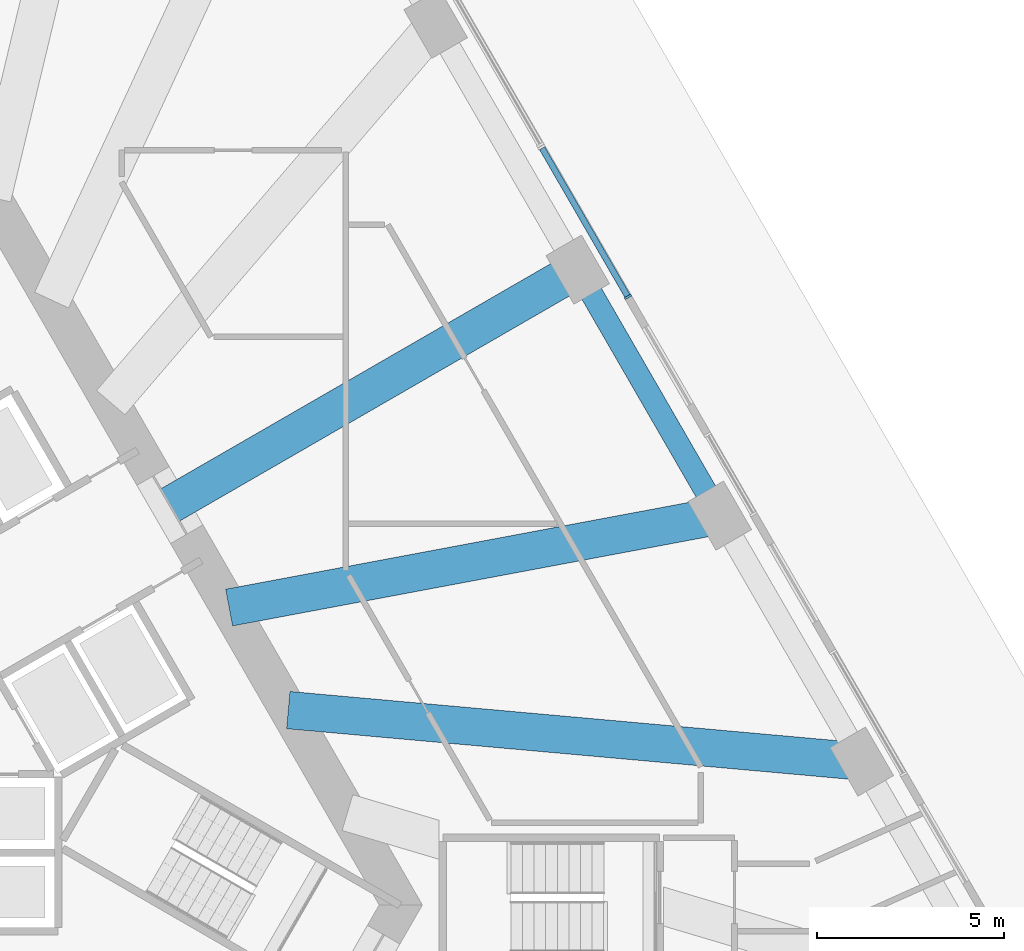
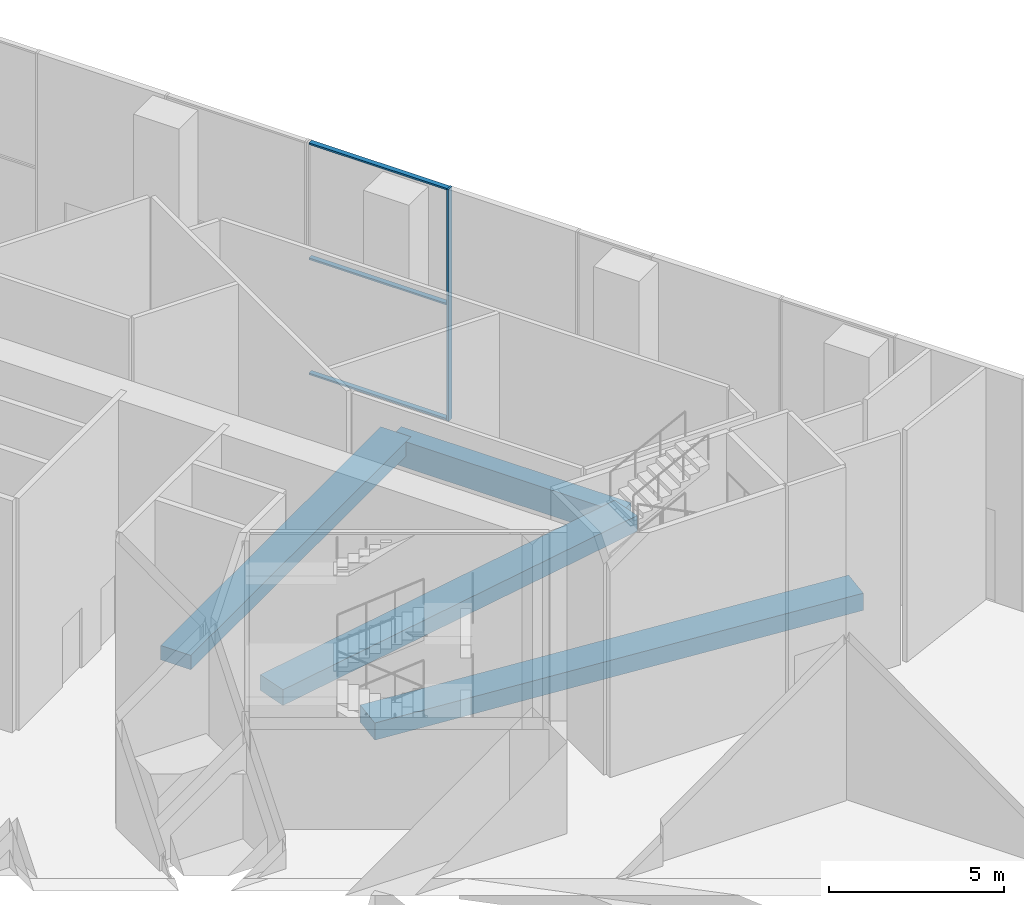
# One storey, part 12 of 41: 4 beams, 4 members, 1 element without a shape of its own.
"""IFC4 building model written with IfcOpenShell, lengths in metres."""

from ifc_helpers import new_model, si_unit, direction, frame, origin, origin_2d, place, context, subcontext, project, spatial, rectangle, extrude, material, layer, layer_set, material_profile, profile_set, type_object, element, aggregate, save


model = new_model("IFC4")

# Units and contexts
model_context = context("Model", 3, precision=1e-05, world=origin(), true_north=direction((0.0, 1.0)))
body_context = subcontext(model_context, "Body", "Model", "MODEL_VIEW")
ifc_project = project(units=[si_unit("LENGTHUNIT", "METRE"), si_unit("AREAUNIT", "SQUARE_METRE"), si_unit("VOLUMEUNIT", "CUBIC_METRE"), si_unit("PLANEANGLEUNIT", "RADIAN"), si_unit("MASSUNIT", "GRAM", prefix="KILO")], contexts=[model_context])

# Site, building, storey
site_placement = place(None, origin())
site = spatial("IfcSite", under=ifc_project, at=site_placement, CompositionType="ELEMENT")
building_placement = place(site_placement, origin())
building = spatial("IfcBuilding", under=site, at=building_placement, Name="Triada Interchange Tower", CompositionType="ELEMENT")
storey_placement = place(building_placement, origin())
storey = spatial("IfcBuildingStorey", under=building, at=storey_placement, Name="L00", CompositionType="ELEMENT", Elevation=0.0)

# Curtain wall, member
ifc_material_1 = material(Name="Aluminium framed glazing", Category="aluminium")
ifc_layer = layer(ifc_material_1, 0.199951171875)
ifc_layer_set = layer_set([ifc_layer], Name="Curtain wall Concourse glazed screen")
curtain_wall_type = type_object("IfcCurtainWallType", Name="Curtain wall Concourse glazed screen", PredefinedType="NOTDEFINED", material=ifc_layer_set)
curtain_wall_placement = place(storey_placement, origin())
curtain_wall = element("IfcCurtainWall", 1, at=curtain_wall_placement, inside=storey, type_object=curtain_wall_type, Name="Concourse glazed screen CW023 L00", PredefinedType="NOTDEFINED")
ifc_material_2 = material(Name="Aluminium", Category="aluminium")
ifc_material_profile_1 = material_profile(ifc_material_2, rectangle(XDim=0.199951171875, YDim=0.06005859375, at=origin_2d()), Name="Aluminium mullion")
ifc_profile_set_1 = profile_set([ifc_material_profile_1], Name="Aluminium")
member_type_1 = type_object("IfcMemberType", Name="Mullion Concourse glazed screen 200x60", PredefinedType="MULLION", material=ifc_profile_set_1)
member_1_placement = place(storey_placement, frame((20.051025390625, 10.071044921875, 0.0), z_axis=(0.0, 0.0, 1.0), x_axis=(-0.865961626677, -0.500110448923, 0.0)))
member_1 = element("IfcMember", 2, at=member_1_placement, type_object=member_type_1, Name="CW023 mullion 1", PredefinedType="MULLION", context=body_context, shape_type="SweptSolid", body=[
    extrude(rectangle(XDim=0.199951171875, YDim=0.06005859375, at=origin_2d()), origin(), (0.0, 0.0, 1.0), 8.10009765625),
])

# Beams
ifc_material_3 = material(Name="Concrete C50/60", Category="concrete")
ifc_material_profile_2 = material_profile(ifc_material_3, rectangle(XDim=1.0, YDim=0.5, at=origin_2d()), Name="RC 1000x500")
ifc_profile_set_2 = profile_set([ifc_material_profile_2], Name="Concrete C50/60")
beam_type_1 = type_object("IfcBeamType", Name="Radial band beam P RC 1000x500", PredefinedType="BEAM", material=ifc_profile_set_2)
beam_1_placement = place(storey_placement, frame((18.7060546875, 10.800048828125, -0.64990234375), z_axis=(-0.866027481415, -0.499996401421, 0.0), x_axis=(0.499996401421, -0.866027481415, 0.0)))
element("IfcBeam", 3, at=beam_1_placement, inside=storey, type_object=beam_type_1, Name="Radial band beam BP25 L00", PredefinedType="BEAM", context=body_context, shape_type="SweptSolid", body=[
    extrude(rectangle(XDim=1.0, YDim=0.5, at=origin_2d()), origin(), (0.0, 0.0, 1.0), 12.60009765625),
])
ifc_material_profile_3 = material_profile(ifc_material_3, rectangle(XDim=1.0, YDim=0.550048828125, at=origin_2d()), Name="RC 1000x550")
ifc_profile_set_3 = profile_set([ifc_material_profile_3], Name="Concrete C50/60")
beam_type_2 = type_object("IfcBeamType", Name="Radial band beam P RC 1000x550", PredefinedType="BEAM", material=ifc_profile_set_3)
beam_2_placement = place(storey_placement, frame((22.506103515625, 4.218994140625, -0.675048828125), z_axis=(-0.982880256044, -0.184245494596, 0.0), x_axis=(0.184245494596, -0.982880256044, 0.0)))
element("IfcBeam", 4, at=beam_2_placement, inside=storey, type_object=beam_type_2, Name="Radial band beam BP24 L00", PredefinedType="BEAM", context=body_context, shape_type="SweptSolid", body=[
    extrude(rectangle(XDim=1.0, YDim=0.550048828125, at=origin_2d()), origin(), (0.0, 0.0, 1.0), 13.35693359375),
])
ifc_material_profile_4 = material_profile(ifc_material_3, rectangle(XDim=1.0, YDim=0.60009765625, at=origin_2d()), Name="RC 1000x600")
ifc_profile_set_4 = profile_set([ifc_material_profile_4], Name="Concrete C50/60")
beam_type_3 = type_object("IfcBeamType", Name="Radial band beam P RC 1000x600", PredefinedType="BEAM", material=ifc_profile_set_4)
beam_3_placement = place(storey_placement, frame((26.305908203125, -2.363037109375, -0.699951171875), z_axis=(-0.995992484525, 0.089436965342, 0.0), x_axis=(-0.089436965342, -0.995992484525, 0.0)))
element("IfcBeam", 5, at=beam_3_placement, inside=storey, type_object=beam_type_3, Name="Radial band beam BP23 L00", PredefinedType="BEAM", context=body_context, shape_type="SweptSolid", body=[
    extrude(rectangle(XDim=1.0, YDim=0.60009765625, at=origin_2d()), origin(), (0.0, 0.0, 1.0), 15.40673828125),
])
ifc_material_profile_5 = material_profile(ifc_material_3, rectangle(XDim=0.60009765625, YDim=0.89990234375, at=origin_2d()), Name="RC 600x900")
ifc_profile_set_5 = profile_set([ifc_material_profile_5], Name="Concrete C50/60")
beam_type_4 = type_object("IfcBeamType", Name="Spandrel beam P RC 600x900", PredefinedType="BEAM", material=ifc_profile_set_5)
beam_4_placement = place(storey_placement, frame((22.506103515625, 4.218994140625, -0.85009765625), z_axis=(-0.500046891162, 0.865998329467, 0.0), x_axis=(-0.865998329467, -0.500046891162, 0.0)))
element("IfcBeam", 6, at=beam_4_placement, inside=storey, type_object=beam_type_4, Name="Spandrel beam EP24 L00", PredefinedType="BEAM", context=body_context, shape_type="SweptSolid", body=[
    extrude(rectangle(XDim=0.60009765625, YDim=0.89990234375, at=origin_2d()), origin(), (0.0, 0.0, 1.0), 7.599365234375),
])

# Member
ifc_material_profile_6 = material_profile(ifc_material_2, rectangle(XDim=0.159912109375, YDim=0.06005859375, at=origin_2d()), Name="Aluminium transom")
ifc_profile_set_6 = profile_set([ifc_material_profile_6], Name="Aluminium")
member_type_2 = type_object("IfcMemberType", Name="Transom Concourse glazed screen 160x60", PredefinedType="USERDEFINED", material=ifc_profile_set_6)
member_2_placement = place(storey_placement, frame((20.035888671875, 10.096923828125, 0.030029296875), z_axis=(-0.500102056226, 0.865966473576, 0.0), x_axis=(-0.865966473576, -0.500102056226, 0.0)))
member_2 = element("IfcMember", 7, at=member_2_placement, type_object=member_type_2, Name="CW023 transom 1.1", ObjectType="TRANSOM", PredefinedType="USERDEFINED", context=body_context, shape_type="SweptSolid", body=[
    extrude(rectangle(XDim=0.159912109375, YDim=0.06005859375, at=origin_2d()), origin(), (0.0, 0.0, 1.0), 4.56494140625),
])

member_3_placement = place(storey_placement, frame((20.035888671875, 10.096923828125, 4.050048828125), z_axis=(-0.500102056226, 0.865966473576, 0.0), x_axis=(-0.865966473576, -0.500102056226, 0.0)))
member_3 = element("IfcMember", 8, at=member_3_placement, type_object=member_type_2, Name="CW023 transom 1.2", ObjectType="TRANSOM", PredefinedType="USERDEFINED", context=body_context, shape_type="SweptSolid", body=[
    extrude(rectangle(XDim=0.159912109375, YDim=0.06005859375, at=origin_2d()), origin(), (0.0, 0.0, 1.0), 4.56494140625),
])

member_4_placement = place(storey_placement, frame((20.035888671875, 10.096923828125, 8.070068359375), z_axis=(-0.500102056226, 0.865966473576, 0.0), x_axis=(-0.865966473576, -0.500102056226, 0.0)))
member_4 = element("IfcMember", 9, at=member_4_placement, type_object=member_type_2, Name="CW023 transom 1.3", ObjectType="TRANSOM", PredefinedType="USERDEFINED", context=body_context, shape_type="SweptSolid", body=[
    extrude(rectangle(XDim=0.159912109375, YDim=0.06005859375, at=origin_2d()), origin(), (0.0, 0.0, 1.0), 4.56494140625),
])

aggregate(curtain_wall, [member_1, member_2, member_3, member_4])

save(model, "model.ifc")
